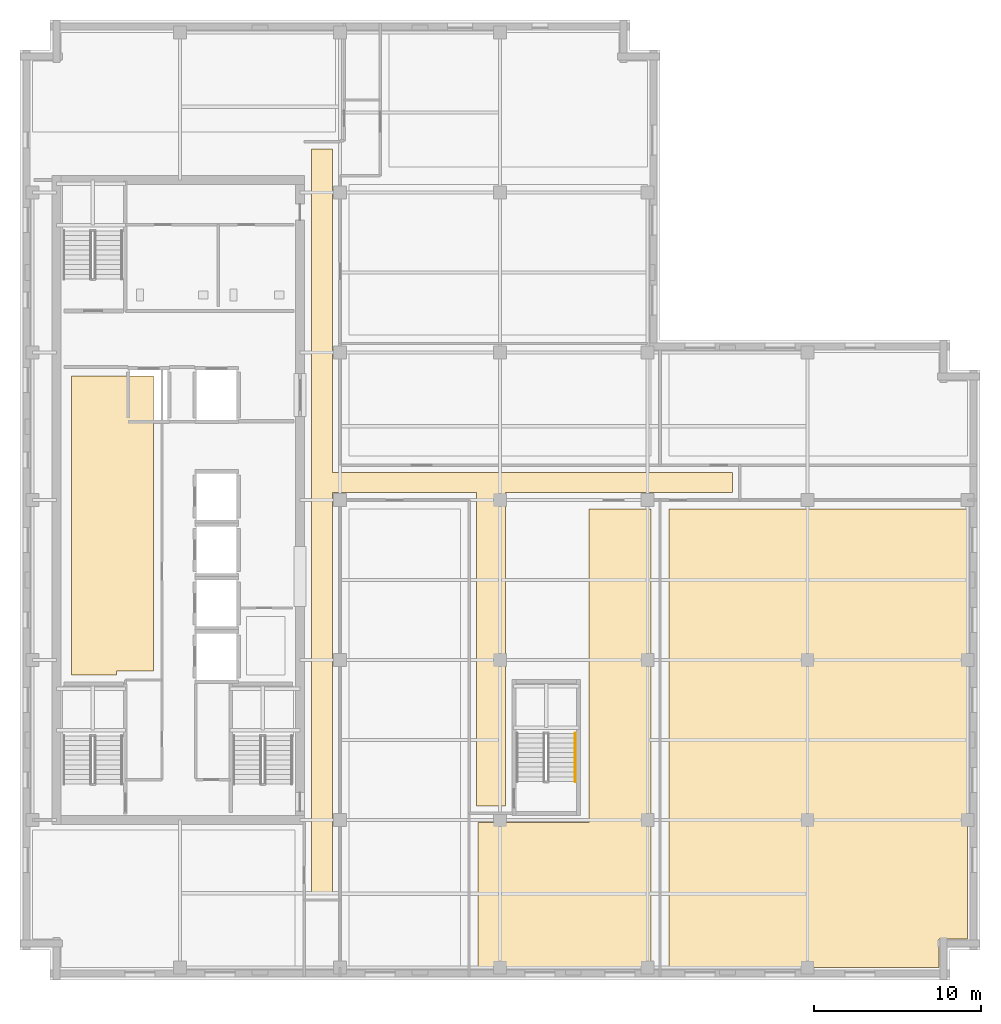
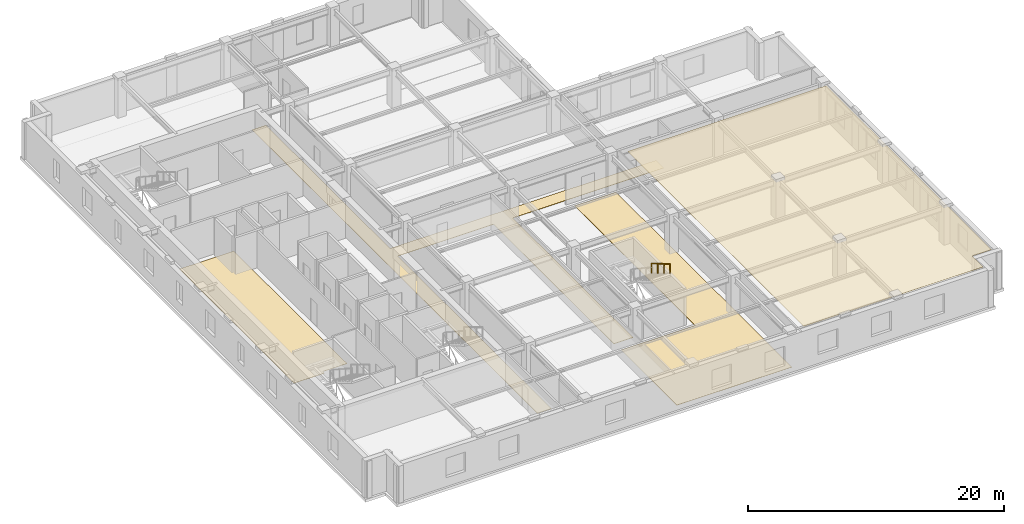
# One storey, part 9 of 12: 4 coverings, 1 railing.
"""IFC4 building model written with IfcOpenShell, lengths in metres."""

from ifc_helpers import new_model, si_unit, direction, frame, origin, origin_2d, place, context, subcontext, project, spatial, polyline, circle, outline, extrude, material, layer, layer_set, type_object, element, save


model = new_model("IFC4")

# Units and contexts
model_context = context("Model", 3, precision=1e-05, world=origin(), true_north=direction((0.0, 1.0)))
body_context = subcontext(model_context, "Body", "Model", "MODEL_VIEW")
ifc_project = project(units=[si_unit("LENGTHUNIT", "METRE"), si_unit("AREAUNIT", "SQUARE_METRE"), si_unit("VOLUMEUNIT", "CUBIC_METRE"), si_unit("PLANEANGLEUNIT", "RADIAN"), si_unit("MASSUNIT", "GRAM", prefix="KILO")], contexts=[model_context])

# Site, building, storey
site_placement = place(None, origin())
site = spatial("IfcSite", under=ifc_project, at=site_placement, CompositionType="ELEMENT")
building_placement = place(site_placement, origin())
building = spatial("IfcBuilding", under=site, at=building_placement, Name="Norrvale University Quadrangle", CompositionType="ELEMENT")
storey_placement = place(building_placement, frame((0.0, 0.0, 244.60009765625)))
storey = spatial("IfcBuildingStorey", under=building, at=storey_placement, Name="L62", CompositionType="ELEMENT", Elevation=244.60009765625)

# Coverings
ifc_material_1 = material(Name="Perforated Acoustic Mineral Ceiling")
ifc_layer_1 = layer(ifc_material_1, 0.02490234375, Name="Perforated Acoustic Mineral Ceiling")
ifc_layer_set_1 = layer_set([ifc_layer_1], Name="Perforated Acoustic Mineral Ceiling")
covering_type_1 = type_object("IfcCoveringType", Name="Covering Acoustic Ceiling 25", PredefinedType="CEILING", material=ifc_layer_set_1)
covering_1_placement = place(storey_placement, frame((0.0, 0.0, 3.514892578125)))
element("IfcCovering", 1, at=covering_1_placement, inside=storey, type_object=covering_type_1, Name="Acoustic Ceiling RM-L62-SE3", PredefinedType="CEILING", context=body_context, shape_type="SweptSolid", body=[
    extrude(outline(polyline([(38.929931640625, 0.75), (38.929931640625, 28.27001953125), (56.85009765625, 28.27001953125), (56.85009765625, 2.469970703125), (55.1298828125, 2.469970703125), (55.1298828125, 0.75), (38.929931640625, 0.75)])), origin(), (0.0, 0.0, 1.0), 0.02490234375),
])
ifc_material_2 = material(Name="Polished Terrazzo Flooring")
ifc_layer_2 = layer(ifc_material_2, 0.02490234375, Name="Polished Terrazzo Flooring")
ifc_layer_set_2 = layer_set([ifc_layer_2], Name="Polished Terrazzo Flooring")
covering_type_2 = type_object("IfcCoveringType", Name="Covering Terrazzo Floor 30", PredefinedType="FLOORING", material=ifc_layer_set_2)
covering_2_placement = place(storey_placement, origin())
element("IfcCovering", 2, at=covering_2_placement, inside=storey, type_object=covering_type_2, Name="Terrazzo Flooring RM-L62-REC2", PredefinedType="FLOORING", context=body_context, shape_type="SweptSolid", body=[
    extrude(outline(polyline([(3.10009765625, 18.300048828125), (3.10009765625, 36.25), (8.0, 36.25), (8.0, 18.550048828125), (5.800048828125, 18.550048828125), (5.800048828125, 18.300048828125), (3.10009765625, 18.300048828125)])), origin(), (0.0, 0.0, 1.0), 0.02490234375),
])
covering_3_placement = place(storey_placement, origin())
element("IfcCovering", 3, at=covering_3_placement, inside=storey, type_object=covering_type_2, Name="Terrazzo Flooring RM-L62-CORR1", PredefinedType="FLOORING", context=body_context, shape_type="SweptSolid", body=[
    extrude(outline(polyline([(17.5, 5.25), (17.5, 49.85009765625), (18.75, 49.85009765625), (18.75, 30.449951171875), (42.75, 30.449951171875), (42.75, 29.25), (29.1298828125, 29.25), (29.1298828125, 10.449951171875), (27.39990234375, 10.449951171875), (27.39990234375, 29.25), (18.75, 29.25), (18.75, 5.25), (17.5, 5.25)])), origin(), (0.0, 0.0, 1.0), 0.02490234375),
])
covering_4_placement = place(storey_placement, origin())
element("IfcCovering", 4, at=covering_4_placement, inside=storey, type_object=covering_type_2, Name="Terrazzo Flooring RM-L62-SE2", PredefinedType="FLOORING", context=body_context, shape_type="SweptSolid", body=[
    extrude(outline(polyline([(27.47998046875, 9.449951171875), (34.14990234375, 9.449951171875), (34.14990234375, 28.27001953125), (37.8701171875, 28.27001953125), (37.8701171875, 0.75), (27.47998046875, 0.75), (27.47998046875, 9.449951171875)])), origin(), (0.0, 0.0, 1.0), 0.02490234375),
])

# Railing
ifc_material_3 = material(Name="Stainless Steel 316L Handrail", Category="steel")
railing_type = type_object("IfcRailingType", Name="Railing Stair Handrail 920", PredefinedType="HANDRAIL", material=ifc_material_3)
railing_placement = place(storey_placement, frame((33.31005859375, 14.800048828125, 2.072509765625)))
element("IfcRailing", 5, at=railing_placement, inside=storey, type_object=railing_type, Name="Stair Upper Flight Handrail ST-04 L62", PredefinedType="HANDRAIL", context=body_context, shape_type="SweptSolid", body=[
    extrude(circle(Radius=0.02392578125, at=origin_2d()), frame((0.0, 0.0, 0.89599609375), z_axis=(0.0, -0.859160404282, 0.51170636083), x_axis=(1.0, 0.0, 0.0)), (0.0, 0.0, 1.0), 3.37548828125),
    extrude(circle(Radius=0.02099609375, at=origin_2d()), origin(), (0.0, 0.0, 1.0), 0.871826171875),
    extrude(circle(Radius=0.02099609375, at=origin_2d()), frame((0.0, -0.966796875, 0.57568359375)), (0.0, 0.0, 1.0), 0.871826171875),
    extrude(circle(Radius=0.02099609375, at=origin_2d()), frame((0.0, -1.933349609375, 1.151611328125)), (0.0, 0.0, 1.0), 0.871826171875),
    extrude(circle(Radius=0.02099609375, at=origin_2d()), frame((0.0, -2.900146484375, 1.727294921875)), (0.0, 0.0, 1.0), 0.871826171875),
])

save(model, "model.ifc")
